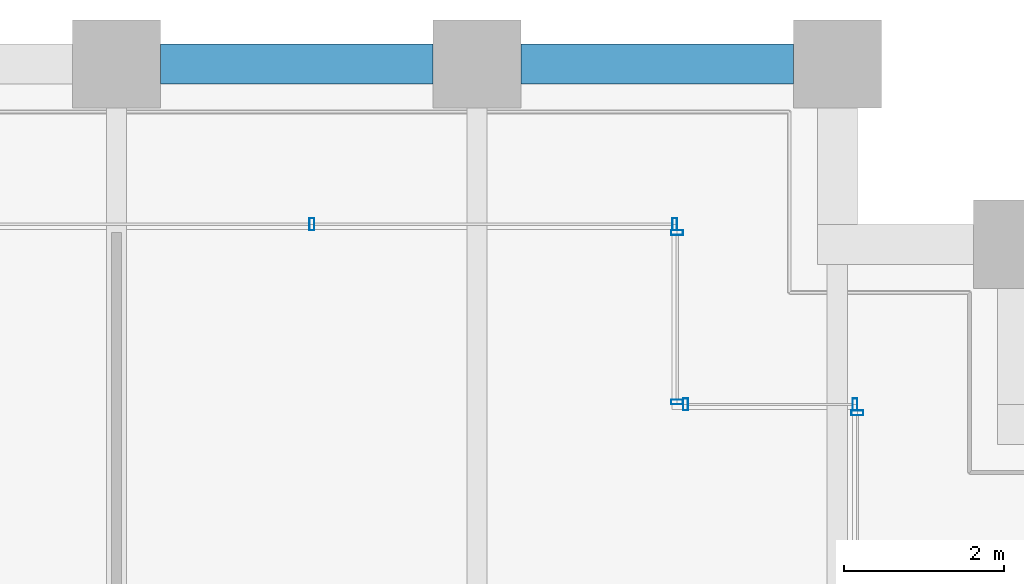
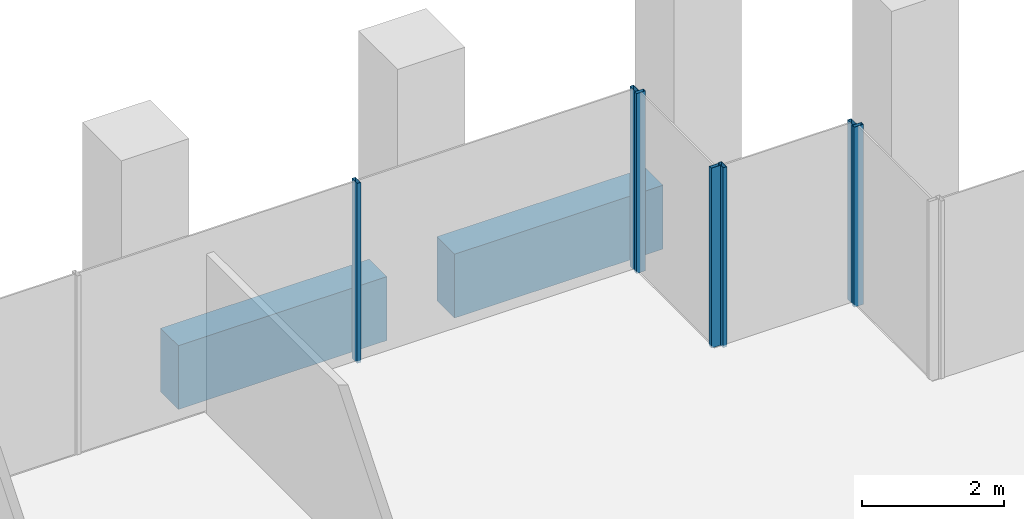
# One storey, part 32 of 56: 7 members, 2 beams, 4 elements without a shape of their own.
"""IFC4 building model written with IfcOpenShell, lengths in metres."""

from ifc_helpers import new_model, si_unit, direction, frame, origin, origin_2d, place, context, subcontext, project, spatial, rectangle, hollow_rectangle, extrude, material, material_profile, profile_set, type_object, element, aggregate, save


model = new_model("IFC4")

# Units and contexts
model_context = context("Model", 3, precision=1e-05, world=origin(), true_north=direction((0.0, 1.0)))
body_context = subcontext(model_context, "Body", "Model", "MODEL_VIEW")
ifc_project = project(units=[si_unit("LENGTHUNIT", "METRE"), si_unit("AREAUNIT", "SQUARE_METRE"), si_unit("VOLUMEUNIT", "CUBIC_METRE"), si_unit("PLANEANGLEUNIT", "RADIAN"), si_unit("MASSUNIT", "GRAM", prefix="KILO")], contexts=[model_context])

# Site, building, storey
site_placement = place(None, origin())
site = spatial("IfcSite", under=ifc_project, at=site_placement, CompositionType="ELEMENT")
building_placement = place(site_placement, origin())
building = spatial("IfcBuilding", under=site, at=building_placement, Name="Altepetl Exchange Towers", CompositionType="ELEMENT")
storey_placement = place(building_placement, frame((0.0, 0.0, 69.0)))
storey = spatial("IfcBuildingStorey", under=building, at=storey_placement, Name="L16", CompositionType="ELEMENT", Elevation=69.0)

# Curtain wall, member
ifc_material_1 = material(Name="Aluminium 6063-T6 glazing", Category="aluminium")
curtain_wall_type = type_object("IfcCurtainWallType", Name="Loggia glazing system", PredefinedType="NOTDEFINED", material=ifc_material_1)
curtain_wall_1_placement = place(storey_placement, origin())
curtain_wall_1 = element("IfcCurtainWall", 1, at=curtain_wall_1_placement, inside=storey, type_object=curtain_wall_type, Name="CW1 run", PredefinedType="NOTDEFINED")
ifc_material_2 = material(Name="Aluminium 6063-T6", Category="aluminium")
ifc_material_profile_1 = material_profile(ifc_material_2, hollow_rectangle(XDim=0.06005859375, YDim=0.14990234375, WallThickness=0.0029296875, at=origin_2d()), Name="Mullion 60x150 aluminium")
ifc_profile_set_1 = profile_set([ifc_material_profile_1], Name="Aluminium 6063-T6")
member_type = type_object("IfcMemberType", Name="Mullion 60x150 aluminium", PredefinedType="MULLION", material=ifc_profile_set_1)
member_1_placement = place(storey_placement, frame((67.75, 67.64501953125, 0.0), z_axis=(0.0, 0.0, 1.0), x_axis=(0.0, 1.0, 0.0)))
member_1 = element("IfcMember", 2, at=member_1_placement, type_object=member_type, Name="MU1 mullion", PredefinedType="MULLION", context=body_context, shape_type="SweptSolid", body=[
    extrude(hollow_rectangle(XDim=0.06005859375, YDim=0.14990234375, WallThickness=0.0029296875, at=origin_2d()), origin(), (0.0, 0.0, 1.0), 3.10009765625),
])
aggregate(curtain_wall_1, [member_1])

# Curtain wall, members
curtain_wall_2_placement = place(storey_placement, origin())
curtain_wall_2 = element("IfcCurtainWall", 3, at=curtain_wall_2_placement, inside=storey, type_object=curtain_wall_type, Name="CW1 run", PredefinedType="NOTDEFINED")
member_2_placement = place(storey_placement, frame((67.719970703125, 67.75, 0.0), z_axis=(0.0, 0.0, 1.0), x_axis=(-1.0, 0.0, 0.0)))
member_2 = element("IfcMember", 4, at=member_2_placement, type_object=member_type, Name="MU1 mullion", PredefinedType="MULLION", context=body_context, shape_type="SweptSolid", body=[
    extrude(hollow_rectangle(XDim=0.06005859375, YDim=0.14990234375, WallThickness=0.0029296875, at=origin_2d()), origin(), (0.0, 0.0, 1.0), 3.10009765625),
])
member_3_placement = place(storey_placement, frame((65.60498046875, 67.75, 0.0), z_axis=(0.0, 0.0, 1.0), x_axis=(-1.0, 0.0, 0.0)))
member_3 = element("IfcMember", 5, at=member_3_placement, type_object=member_type, Name="MU1 mullion", PredefinedType="MULLION", context=body_context, shape_type="SweptSolid", body=[
    extrude(hollow_rectangle(XDim=0.06005859375, YDim=0.14990234375, WallThickness=0.0029296875, at=origin_2d()), origin(), (0.0, 0.0, 1.0), 3.10009765625),
])
aggregate(curtain_wall_2, [member_2, member_3])

curtain_wall_3_placement = place(storey_placement, origin())
curtain_wall_3 = element("IfcCurtainWall", 6, at=curtain_wall_3_placement, inside=storey, type_object=curtain_wall_type, Name="CW1 run", PredefinedType="NOTDEFINED")
member_4_placement = place(storey_placement, frame((65.5, 67.780029296875, 0.0), z_axis=(0.0, 0.0, 1.0), x_axis=(0.0, 1.0, 0.0)))
member_4 = element("IfcMember", 7, at=member_4_placement, type_object=member_type, Name="MU1 mullion", PredefinedType="MULLION", context=body_context, shape_type="SweptSolid", body=[
    extrude(hollow_rectangle(XDim=0.06005859375, YDim=0.14990234375, WallThickness=0.0029296875, at=origin_2d()), origin(), (0.0, 0.0, 1.0), 3.10009765625),
])
member_5_placement = place(storey_placement, frame((65.5, 69.89501953125, 0.0), z_axis=(0.0, 0.0, 1.0), x_axis=(0.0, 1.0, 0.0)))
member_5 = element("IfcMember", 8, at=member_5_placement, type_object=member_type, Name="MU1 mullion", PredefinedType="MULLION", context=body_context, shape_type="SweptSolid", body=[
    extrude(hollow_rectangle(XDim=0.06005859375, YDim=0.14990234375, WallThickness=0.0029296875, at=origin_2d()), origin(), (0.0, 0.0, 1.0), 3.10009765625),
])
aggregate(curtain_wall_3, [member_4, member_5])

curtain_wall_4_placement = place(storey_placement, origin())
curtain_wall_4 = element("IfcCurtainWall", 9, at=curtain_wall_4_placement, inside=storey, type_object=curtain_wall_type, Name="CW1 run", PredefinedType="NOTDEFINED")
member_6_placement = place(storey_placement, frame((65.469970703125, 70.0, 0.0), z_axis=(0.0, 0.0, 1.0), x_axis=(-1.0, 0.0, 0.0)))
member_6 = element("IfcMember", 10, at=member_6_placement, type_object=member_type, Name="MU1 mullion", PredefinedType="MULLION", context=body_context, shape_type="SweptSolid", body=[
    extrude(hollow_rectangle(XDim=0.06005859375, YDim=0.14990234375, WallThickness=0.0029296875, at=origin_2d()), origin(), (0.0, 0.0, 1.0), 3.10009765625),
])
member_7_placement = place(storey_placement, frame((60.939208984375, 70.0, 0.0), z_axis=(0.0, 0.0, 1.0), x_axis=(-1.0, 0.0, 0.0)))
member_7 = element("IfcMember", 11, at=member_7_placement, type_object=member_type, Name="MU1 mullion", PredefinedType="MULLION", context=body_context, shape_type="SweptSolid", body=[
    extrude(hollow_rectangle(XDim=0.06005859375, YDim=0.14990234375, WallThickness=0.0029296875, at=origin_2d()), origin(), (0.0, 0.0, 1.0), 3.10009765625),
])
aggregate(curtain_wall_4, [member_6, member_7])

# Beams
ifc_material_3 = material(Name="Concrete C50/60 precast with cantera rosa facing", Category="concrete")
ifc_material_profile_2 = material_profile(ifc_material_3, rectangle(XDim=0.5, YDim=1.10009765625, at=origin_2d()), Name="500 x 1100")
ifc_profile_set_2 = profile_set([ifc_material_profile_2], Name="Concrete C50/60 precast with cantera rosa facing")
beam_type = type_object("IfcBeamType", Name="Spandrel beam 500x1100 cantera rosa", PredefinedType="SPANDREL", material=ifc_profile_set_2)
for number, where, z_axis, x_axis, name in (
    (12, (66.949951171875, 72.0, -0.699951171875), (-1.0, 0.0, 0.0), (0.0, -1.0, 0.0), "sp:A:L16:024"),
    (13, (62.449951171875, 72.0, -0.699951171875), (-1.0, 0.0, 0.0), (0.0, -1.0, 0.0), "sp:A:L16:025"),
):
    element("IfcBeam", number, at=place(storey_placement, frame(where, z_axis=z_axis, x_axis=x_axis)), inside=storey, type_object=beam_type, Name=name, PredefinedType="SPANDREL", context=body_context, shape_type="SweptSolid", body=[
        extrude(rectangle(XDim=0.5, YDim=1.10009765625, at=origin_2d()), origin(), (0.0, 0.0, 1.0), 3.39990234375),
    ])

save(model, "model.ifc")
